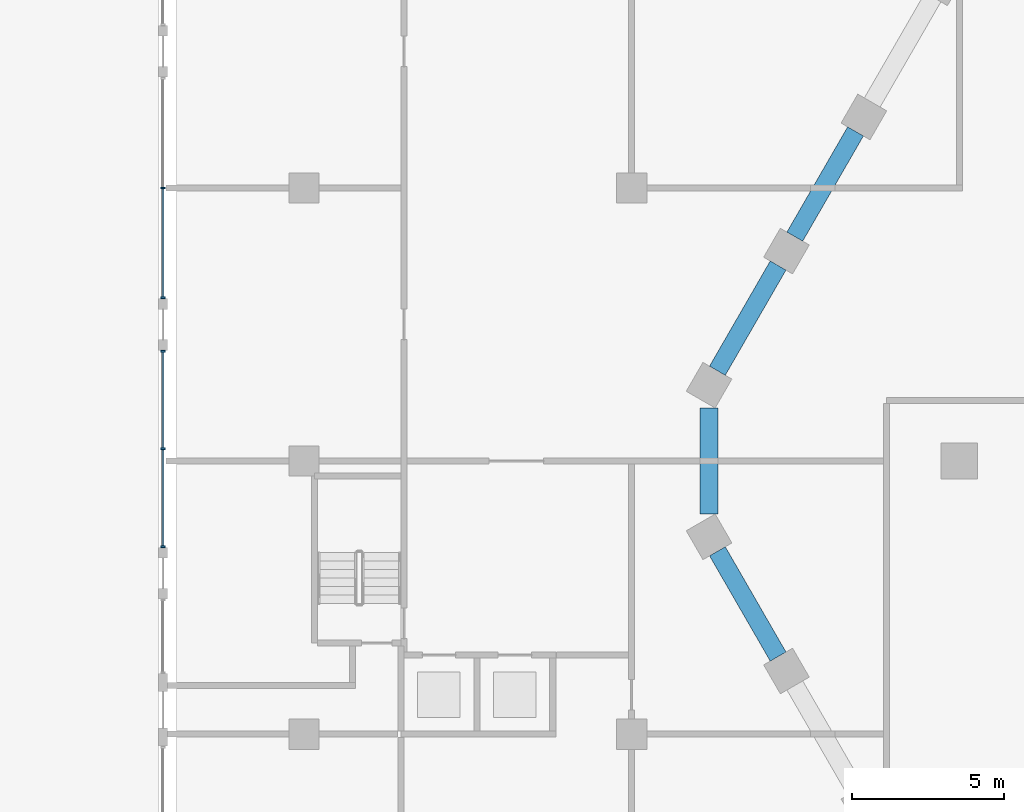
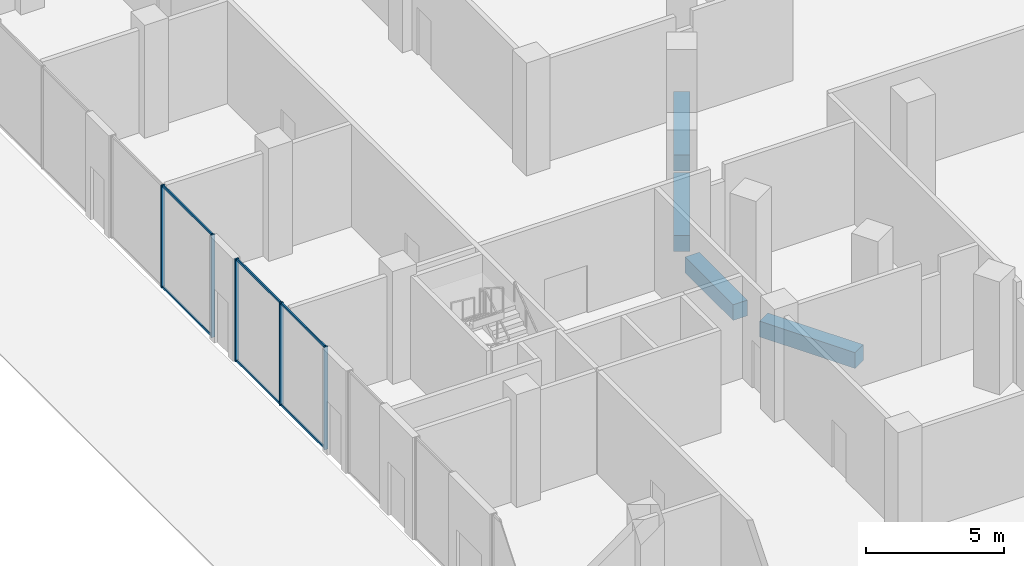
# One storey, part 6 of 57: 11 members, 4 beams, 2 elements without a shape of their own.
"""IFC4 building model written with IfcOpenShell, lengths in metres."""

import ifcopenshell
import ifcopenshell.guid

model = None  # the IFC model being written
_history = None  # IfcOwnerHistory: only IFC2X3 demands one
_inside = {}  # id of a spatial element -> (the spatial element, [elements in it])
_under = {}  # id of a project, library or spatial element -> (it, [spatial elements below it])
_declared = {}  # id of a project -> (the project, [libraries it declares])
_typed = {}  # id of a type object -> (the type object, [elements of that type])
_made_of = {}  # id of a material, layer set ... -> (it, [elements and type objects made of it])


def new_model(schema):
    """Start an empty IFC model of exactly this schema.

    Asked for "IFC4X3", IfcOpenShell would pick the latest addendum, in which some entities
    have other attributes; the version numbers below select the first issue.
    IFC2X3 requires an IfcOwnerHistory on every rooted entity: one is made here for all.
    """
    global model, _history
    if schema == "IFC4X3":
        model = ifcopenshell.file(schema_version=(4, 3, 0, 0))
    else:
        model = ifcopenshell.file(schema=schema)
    _inside.clear()
    _under.clear()
    _declared.clear()
    _typed.clear()
    _made_of.clear()
    _history = None
    if model.schema == "IFC2X3":
        org = make("IfcOrganization", Name="unknown")
        user = make(
            "IfcPersonAndOrganization",
            ThePerson=make("IfcPerson", FamilyName="unknown"),
            TheOrganization=org,
        )
        app = make(
            "IfcApplication",
            ApplicationDeveloper=org,
            Version="unknown",
            ApplicationFullName="unknown",
            ApplicationIdentifier="unknown",
        )
        _history = make(
            "IfcOwnerHistory",
            OwningUser=user,
            OwningApplication=app,
            ChangeAction="ADDED",
            CreationDate=0,
        )
    return model


def make(cls, **values):
    """One entity of the class cls with the attributes given. An attribute that is None is left unset."""
    return model.create_entity(
        cls, **{name: value for name, value in values.items() if value is not None}
    )


def rooted(cls, **values):
    """An entity with a GlobalId (a new one), such as an element, a storey or a relation."""
    return make(cls, GlobalId=ifcopenshell.guid.new(), OwnerHistory=_history, **values)


def si_unit(unit_type, name, prefix=None):
    """IfcSIUnit, for example si_unit("LENGTHUNIT", "METRE", prefix="MILLI")."""
    return make("IfcSIUnit", UnitType=unit_type, Prefix=prefix, Name=name)


def assignment(units):
    """IfcUnitAssignment: the units of a project."""
    return None if units is None else make("IfcUnitAssignment", Units=units)


def point(xyz):
    """IfcCartesianPoint."""
    return None if xyz is None else make("IfcCartesianPoint", Coordinates=xyz)


def direction(xyz):
    """IfcDirection."""
    return None if xyz is None else make("IfcDirection", DirectionRatios=xyz)


def frame(location, z_axis=None, x_axis=None):
    """IfcAxis2Placement3D, a coordinate frame: its origin and axes. An axis left out is left unset."""
    return make(
        "IfcAxis2Placement3D",
        Location=point(location),
        Axis=direction(z_axis),
        RefDirection=direction(x_axis),
    )


def frame_2d(location, x_axis=None):
    """IfcAxis2Placement2D, a coordinate frame in the plane: its origin and x axis."""
    return make(
        "IfcAxis2Placement2D", Location=point(location), RefDirection=direction(x_axis)
    )


def origin():
    """The frame at (0, 0, 0) with its axes left unset."""
    return frame((0.0, 0.0, 0.0))


def origin_2d():
    """The frame at (0, 0) in the plane with its x axis left unset."""
    return frame_2d((0.0, 0.0))


def place(relative_to, where):
    """IfcLocalPlacement: puts the frame where relative to a parent placement (None: the world)."""
    return make(
        "IfcLocalPlacement", PlacementRelTo=relative_to, RelativePlacement=where
    )


def context(
    kind, dimensions, precision=None, world=None, true_north=None, identifier=None
):
    """IfcGeometricRepresentationContext, for example the 3D "Model" context."""
    return make(
        "IfcGeometricRepresentationContext",
        ContextIdentifier=identifier,
        ContextType=kind,
        CoordinateSpaceDimension=dimensions,
        Precision=precision,
        WorldCoordinateSystem=world,
        TrueNorth=true_north,
    )


def subcontext(parent, identifier, kind, view, scale=None):
    """IfcGeometricRepresentationSubContext, for example "Body" below "Model"."""
    return make(
        "IfcGeometricRepresentationSubContext",
        ContextIdentifier=identifier,
        ContextType=kind,
        ParentContext=parent,
        TargetScale=scale,
        TargetView=view,
    )


def project(units=None, contexts=None):
    """IfcProject with its units and contexts."""
    return rooted(
        "IfcProject",
        Name="project",
        RepresentationContexts=contexts,
        UnitsInContext=assignment(units),
    )


def spatial(cls, under=None, at=None, **own):
    """A site, building, storey or space (cls), placed at a placement, below another one or the project."""
    s = rooted(cls, ObjectPlacement=at, **own)
    if under is not None:
        _under.setdefault(under.id(), (under, []))[1].append(s)
    return s


def profile(cls, at=None, kind="AREA", **sizes):
    """A parametric profile (cls). Its sizes go by their IFC names, for example OverallWidth=200.0."""
    return make(cls, ProfileType=kind, Position=at, **sizes)


def rectangle(**sizes):
    """IfcRectangleProfileDef."""
    return profile("IfcRectangleProfileDef", **sizes)


def hollow_rectangle(**sizes):
    """IfcRectangleHollowProfileDef."""
    return profile("IfcRectangleHollowProfileDef", **sizes)


def extrude(swept, where, along, depth):
    """IfcExtrudedAreaSolid: the profile swept, set in the frame where, extruded along a direction by depth."""
    return make(
        "IfcExtrudedAreaSolid",
        SweptArea=swept,
        Position=where,
        ExtrudedDirection=direction(along),
        Depth=depth,
    )


def shape(context_of_items, identifier, shape_type, items):
    """IfcShapeRepresentation: the items that make up one representation, for example the "Body"."""
    return make(
        "IfcShapeRepresentation",
        ContextOfItems=context_of_items,
        RepresentationIdentifier=identifier,
        RepresentationType=shape_type,
        Items=items,
    )


def material(Name=None, Category=None):
    """IfcMaterial."""
    return make("IfcMaterial", Name=Name, Category=Category)


def material_profile(
    of_material, cross_section, Name=None, Category=None, Priority=None
):
    """IfcMaterialProfile: a cross section and its material."""
    return make(
        "IfcMaterialProfile",
        Name=Name,
        Material=of_material,
        Profile=cross_section,
        Priority=Priority,
        Category=Category,
    )


def profile_set(profiles, Name=None, composite=None):
    """IfcMaterialProfileSet."""
    return make(
        "IfcMaterialProfileSet",
        Name=Name,
        MaterialProfiles=profiles,
        CompositeProfile=composite,
    )


def made_of(thing, what):
    """Note that an element or type object is made of a material, layer set ...; save() writes the relation."""
    if what is not None:
        _made_of.setdefault(what.id(), (what, []))[1].append(thing)
    return thing


def type_object(cls, material=None, **own):
    """A type object (cls), such as IfcWallType, which elements share."""
    return made_of(rooted(cls, **own), material)


def element(
    cls,
    number,
    at=None,
    inside=None,
    cuts=None,
    type_object=None,
    material=None,
    context=None,
    identifier="Body",
    shape_type=None,
    held_by="IfcProductDefinitionShape",
    body=None,
    shapes=None,
    **own,
):
    """One element of the class cls, such as IfcWall. Its Tag is "e" and its number.

    at: its placement. inside: the storey or other place that contains it. cuts: it is an
    opening in that element (IfcRelVoidsElement). A single representation is given by context,
    identifier, shape_type and body (its items); several are given by shapes. held_by: the class
    of the entity that holds the representations. save() writes the other relations.
    """
    e = rooted(cls, Tag="e%d" % number, ObjectPlacement=at, **own)
    if body is not None:
        shapes = [shape(context, identifier, shape_type, body)]
    if shapes is not None:
        e.Representation = make(held_by, Representations=shapes)
    if inside is not None:
        _inside.setdefault(inside.id(), (inside, []))[1].append(e)
    if cuts is not None:
        rooted(
            "IfcRelVoidsElement", RelatingBuildingElement=cuts, RelatedOpeningElement=e
        )
    if type_object is not None:
        _typed.setdefault(type_object.id(), (type_object, []))[1].append(e)
    return made_of(e, material)


def aggregate(whole, parts):
    """IfcRelAggregates: a whole, such as a stair, and the parts it consists of."""
    return rooted("IfcRelAggregates", RelatingObject=whole, RelatedObjects=parts)


def save(model, path):
    """Write the relations noted so far, then the file.

    IfcRelAggregates (storeys below a building ...), IfcRelContainedInSpatialStructure (elements
    in a storey), IfcRelDefinesByType, IfcRelAssociatesMaterial and IfcRelDeclares: one each for
    every whole, place, type object, material and project.
    """
    for whole, parts in _under.values():
        aggregate(whole, parts)
    for where, things in _inside.values():
        rooted(
            "IfcRelContainedInSpatialStructure",
            RelatedElements=things,
            RelatingStructure=where,
        )
    for kind, things in _typed.values():
        rooted("IfcRelDefinesByType", RelatedObjects=things, RelatingType=kind)
    for what, things in _made_of.values():
        rooted("IfcRelAssociatesMaterial", RelatedObjects=things, RelatingMaterial=what)
    for by, libraries in _declared.values():
        rooted("IfcRelDeclares", RelatingContext=by, RelatedDefinitions=libraries)
    model.write(path)


model = new_model("IFC4")

# Units and contexts
model_context = context("Model", 3, precision=1e-05, world=origin(), true_north=direction((0.0, 1.0)))
body_context = subcontext(model_context, "Body", "Model", "MODEL_VIEW")
ifc_project = project(units=[si_unit("LENGTHUNIT", "METRE"), si_unit("AREAUNIT", "SQUARE_METRE"), si_unit("VOLUMEUNIT", "CUBIC_METRE"), si_unit("PLANEANGLEUNIT", "RADIAN"), si_unit("MASSUNIT", "GRAM", prefix="KILO")], contexts=[model_context])

# Site, building, storey
site_placement = place(None, origin())
site = spatial("IfcSite", under=ifc_project, at=site_placement, CompositionType="ELEMENT")
building_placement = place(site_placement, origin())
building = spatial("IfcBuilding", under=site, at=building_placement, Name="Beryl Residences", CompositionType="ELEMENT")
storey_placement = place(building_placement, origin())
storey = spatial("IfcBuildingStorey", under=building, at=storey_placement, Name="L00", CompositionType="ELEMENT", Elevation=0.0)

# Curtain wall, members
ifc_material_1 = material(Name="Aluminium and clear glass", Category="aluminium")
curtain_wall_type = type_object("IfcCurtainWallType", Name="CW1 shopfront glazed wall", PredefinedType="NOTDEFINED", material=ifc_material_1)
curtain_wall_1_placement = place(storey_placement, origin())
curtain_wall_1 = element("IfcCurtainWall", 1, at=curtain_wall_1_placement, inside=storey, type_object=curtain_wall_type, Name="CW1 L00 W", PredefinedType="NOTDEFINED")
ifc_material_2 = material(Name="Aluminium", Category="aluminium")
ifc_material_profile_1 = material_profile(ifc_material_2, rectangle(XDim=0.06005859375, YDim=0.14990234375, at=origin_2d()))
ifc_profile_set_1 = profile_set([ifc_material_profile_1], Name="Aluminium")
member_type_1 = type_object("IfcMemberType", Name="CW1-M mullion 60 x 150 mm", PredefinedType="MULLION", material=ifc_profile_set_1)
member_1_placement = place(storey_placement, frame((-47.85009765625, 9.0, 0.0), z_axis=(0.0, 0.0, 1.0), x_axis=(0.0, -1.0, 0.0)))
member_1 = element("IfcMember", 2, at=member_1_placement, type_object=member_type_1, Name="CW1 mullion 2", PredefinedType="MULLION", context=body_context, shape_type="SweptSolid", body=[
    extrude(rectangle(XDim=0.06005859375, YDim=0.14990234375, at=origin_2d()), origin(), (0.0, 0.0, 1.0), 4.550048828125),
])
member_2_placement = place(storey_placement, frame((-47.85009765625, 5.3798828125, 0.0), z_axis=(0.0, 0.0, 1.0), x_axis=(0.0, -1.0, 0.0)))
member_2 = element("IfcMember", 3, at=member_2_placement, type_object=member_type_1, Name="CW1 mullion 3", PredefinedType="MULLION", context=body_context, shape_type="SweptSolid", body=[
    extrude(rectangle(XDim=0.06005859375, YDim=0.14990234375, at=origin_2d()), origin(), (0.0, 0.0, 1.0), 4.550048828125),
])

curtain_wall_2_placement = place(storey_placement, origin())
curtain_wall_2 = element("IfcCurtainWall", 4, at=curtain_wall_2_placement, inside=storey, type_object=curtain_wall_type, Name="CW1 L00 W", PredefinedType="NOTDEFINED")
member_3_placement = place(storey_placement, frame((-47.85009765625, 3.6201171875, 0.0), z_axis=(0.0, 0.0, 1.0), x_axis=(0.0, -1.0, 0.0)))
member_3 = element("IfcMember", 5, at=member_3_placement, type_object=member_type_1, Name="CW1 mullion 1", PredefinedType="MULLION", context=body_context, shape_type="SweptSolid", body=[
    extrude(rectangle(XDim=0.06005859375, YDim=0.14990234375, at=origin_2d()), origin(), (0.0, 0.0, 1.0), 4.550048828125),
])
member_4_placement = place(storey_placement, frame((-47.85009765625, 0.39990234375, 0.0), z_axis=(0.0, 0.0, 1.0), x_axis=(0.0, -1.0, 0.0)))
member_4 = element("IfcMember", 6, at=member_4_placement, type_object=member_type_1, Name="CW1 mullion 2", PredefinedType="MULLION", context=body_context, shape_type="SweptSolid", body=[
    extrude(rectangle(XDim=0.06005859375, YDim=0.14990234375, at=origin_2d()), origin(), (0.0, 0.0, 1.0), 4.550048828125),
])
member_5_placement = place(storey_placement, frame((-47.85009765625, -2.820068359375, 0.0), z_axis=(0.0, 0.0, 1.0), x_axis=(0.0, -1.0, 0.0)))
member_5 = element("IfcMember", 7, at=member_5_placement, type_object=member_type_1, Name="CW1 mullion 3", PredefinedType="MULLION", context=body_context, shape_type="SweptSolid", body=[
    extrude(rectangle(XDim=0.06005859375, YDim=0.14990234375, at=origin_2d()), origin(), (0.0, 0.0, 1.0), 4.550048828125),
])

# Member
ifc_material_3 = material(Name="Aluminium", Category="aluminium")
ifc_material_profile_2 = material_profile(ifc_material_3, hollow_rectangle(XDim=0.06005859375, YDim=0.10009765625, WallThickness=0.00390625, at=origin_2d()))
ifc_profile_set_2 = profile_set([ifc_material_profile_2], Name="Aluminium")
member_type_2 = type_object("IfcMemberType", Name="CW1-T transom 60 x 100 mm", PredefinedType="USERDEFINED", material=ifc_profile_set_2)
member_6_placement = place(storey_placement, frame((-47.85009765625, 8.969970703125, 0.030029296875), z_axis=(0.0, -1.0, 0.0), x_axis=(1.0, 0.0, 0.0)))
member_6 = element("IfcMember", 8, at=member_6_placement, type_object=member_type_2, Name="CW1 transom 2.1", ObjectType="TRANSOM", PredefinedType="USERDEFINED", context=body_context, shape_type="SweptSolid", body=[
    extrude(hollow_rectangle(XDim=0.06005859375, YDim=0.10009765625, WallThickness=0.00390625, at=origin_2d()), origin(), (0.0, 0.0, 1.0), 3.56005859375),
])

member_7_placement = place(storey_placement, frame((-47.85009765625, 8.969970703125, 4.52001953125), z_axis=(0.0, -1.0, 0.0), x_axis=(1.0, 0.0, 0.0)))
member_7 = element("IfcMember", 9, at=member_7_placement, type_object=member_type_2, Name="CW1 transom 2.2", ObjectType="TRANSOM", PredefinedType="USERDEFINED", context=body_context, shape_type="SweptSolid", body=[
    extrude(hollow_rectangle(XDim=0.06005859375, YDim=0.10009765625, WallThickness=0.00390625, at=origin_2d()), origin(), (0.0, 0.0, 1.0), 3.56005859375),
])

aggregate(curtain_wall_1, [member_1, member_2, member_6, member_7])

member_8_placement = place(storey_placement, frame((-47.85009765625, 3.590087890625, 0.030029296875), z_axis=(0.0, -1.0, 0.0), x_axis=(1.0, 0.0, 0.0)))
member_8 = element("IfcMember", 10, at=member_8_placement, type_object=member_type_2, Name="CW1 transom 1.1", ObjectType="TRANSOM", PredefinedType="USERDEFINED", context=body_context, shape_type="SweptSolid", body=[
    extrude(hollow_rectangle(XDim=0.06005859375, YDim=0.10009765625, WallThickness=0.00390625, at=origin_2d()), origin(), (0.0, 0.0, 1.0), 3.16015625),
])

member_9_placement = place(storey_placement, frame((-47.85009765625, 3.590087890625, 4.52001953125), z_axis=(0.0, -1.0, 0.0), x_axis=(1.0, 0.0, 0.0)))
member_9 = element("IfcMember", 11, at=member_9_placement, type_object=member_type_2, Name="CW1 transom 1.2", ObjectType="TRANSOM", PredefinedType="USERDEFINED", context=body_context, shape_type="SweptSolid", body=[
    extrude(hollow_rectangle(XDim=0.06005859375, YDim=0.10009765625, WallThickness=0.00390625, at=origin_2d()), origin(), (0.0, 0.0, 1.0), 3.16015625),
])

member_10_placement = place(storey_placement, frame((-47.85009765625, 0.3701171875, 0.030029296875), z_axis=(0.0, -1.0, 0.0), x_axis=(1.0, 0.0, 0.0)))
member_10 = element("IfcMember", 12, at=member_10_placement, type_object=member_type_2, Name="CW1 transom 2.1", ObjectType="TRANSOM", PredefinedType="USERDEFINED", context=body_context, shape_type="SweptSolid", body=[
    extrude(hollow_rectangle(XDim=0.06005859375, YDim=0.10009765625, WallThickness=0.00390625, at=origin_2d()), origin(), (0.0, 0.0, 1.0), 3.16015625),
])

member_11_placement = place(storey_placement, frame((-47.85009765625, 0.3701171875, 4.52001953125), z_axis=(0.0, -1.0, 0.0), x_axis=(1.0, 0.0, 0.0)))
member_11 = element("IfcMember", 13, at=member_11_placement, type_object=member_type_2, Name="CW1 transom 2.2", ObjectType="TRANSOM", PredefinedType="USERDEFINED", context=body_context, shape_type="SweptSolid", body=[
    extrude(hollow_rectangle(XDim=0.06005859375, YDim=0.10009765625, WallThickness=0.00390625, at=origin_2d()), origin(), (0.0, 0.0, 1.0), 3.16015625),
])

aggregate(curtain_wall_2, [member_3, member_4, member_5, member_8, member_9, member_10, member_11])

# Beams
ifc_material_4 = material(Name="Concrete C80/95", Category="concrete")
ifc_material_profile_3 = material_profile(ifc_material_4, rectangle(XDim=0.60009765625, YDim=0.699951171875, at=origin_2d()))
ifc_profile_set_3 = profile_set([ifc_material_profile_3], Name="Concrete C80/95")
beam_type = type_object("IfcBeamType", Name="SB1 spandrel beam 600 x 700 C80/95", PredefinedType="SPANDREL", material=ifc_profile_set_3)
beam_1_placement = place(storey_placement, frame((-25.02099609375, 10.863037109375, -0.800048828125), z_axis=(-0.499942357345, -0.866058681229, 0.0), x_axis=(0.866058681229, -0.499942357345, 0.0)))
element("IfcBeam", 14, at=beam_1_placement, inside=storey, type_object=beam_type, Name="SB1 L00 NW-3", PredefinedType="SPANDREL", context=body_context, shape_type="SweptSolid", body=[
    extrude(rectangle(XDim=0.60009765625, YDim=0.699951171875, at=origin_2d()), origin(), (0.0, 0.0, 1.0), 4.00439453125),
])
beam_2_placement = place(storey_placement, frame((-27.572998046875, 6.443115234375, -0.800048828125), z_axis=(-0.499759404093, -0.866164267342, 0.0), x_axis=(0.866164267342, -0.499759404093, 0.0)))
element("IfcBeam", 15, at=beam_2_placement, inside=storey, type_object=beam_type, Name="SB1 L00 NW-4", PredefinedType="SPANDREL", context=body_context, shape_type="SweptSolid", body=[
    extrude(rectangle(XDim=0.60009765625, YDim=0.699951171875, at=origin_2d()), origin(), (0.0, 0.0, 1.0), 4.00390625),
])
beam_3_placement = place(storey_placement, frame((-29.84912109375, 1.748046875, -0.800048828125), z_axis=(0.000349064486, -0.999999939077, 0.0), x_axis=(0.999999939077, 0.000349064486, 0.0)))
element("IfcBeam", 16, at=beam_3_placement, inside=storey, type_object=beam_type, Name="SB1 L00 NW-5", PredefinedType="SPANDREL", context=body_context, shape_type="SweptSolid", body=[
    extrude(rectangle(XDim=0.60009765625, YDim=0.699951171875, at=origin_2d()), origin(), (0.0, 0.0, 1.0), 3.4970703125),
])
beam_4_placement = place(storey_placement, frame((-29.572998046875, -2.97607421875, -0.800048828125), z_axis=(0.499653843024, -0.866225165388, 0.0), x_axis=(0.866225165388, 0.499653843024, 0.0)))
element("IfcBeam", 17, at=beam_4_placement, inside=storey, type_object=beam_type, Name="SB1 L00 SW-0", PredefinedType="SPANDREL", context=body_context, shape_type="SweptSolid", body=[
    extrude(rectangle(XDim=0.60009765625, YDim=0.699951171875, at=origin_2d()), origin(), (0.0, 0.0, 1.0), 4.004638671875),
])

save(model, "model.ifc")
